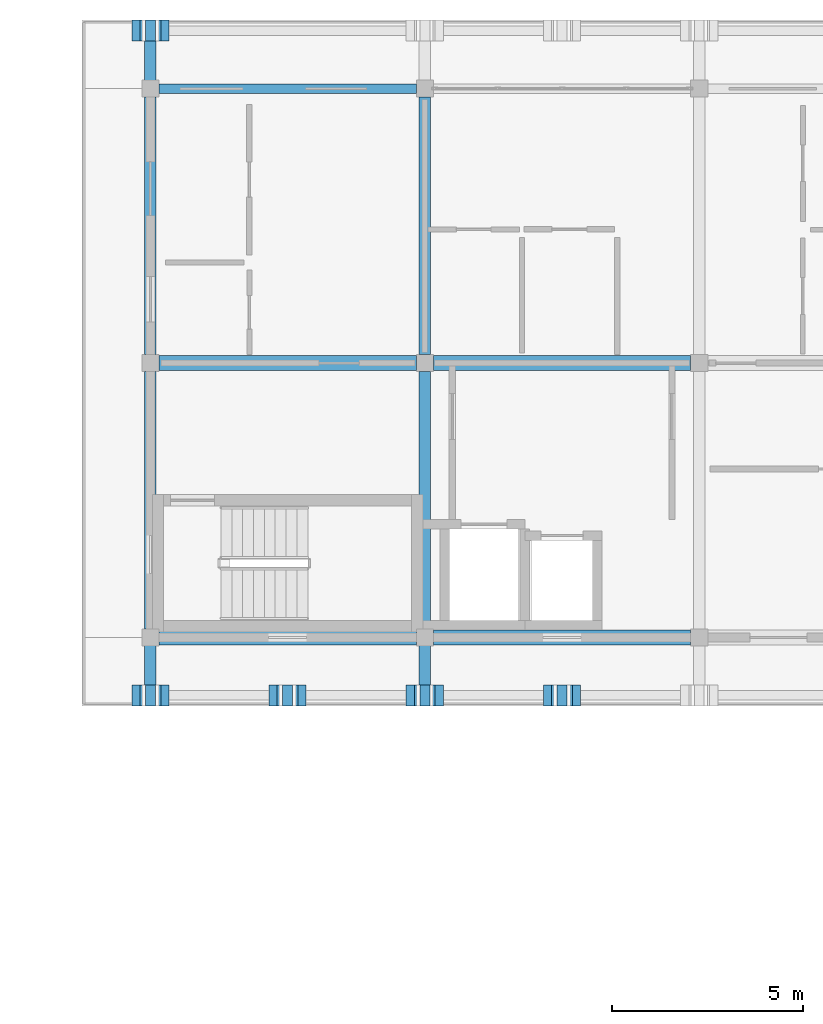
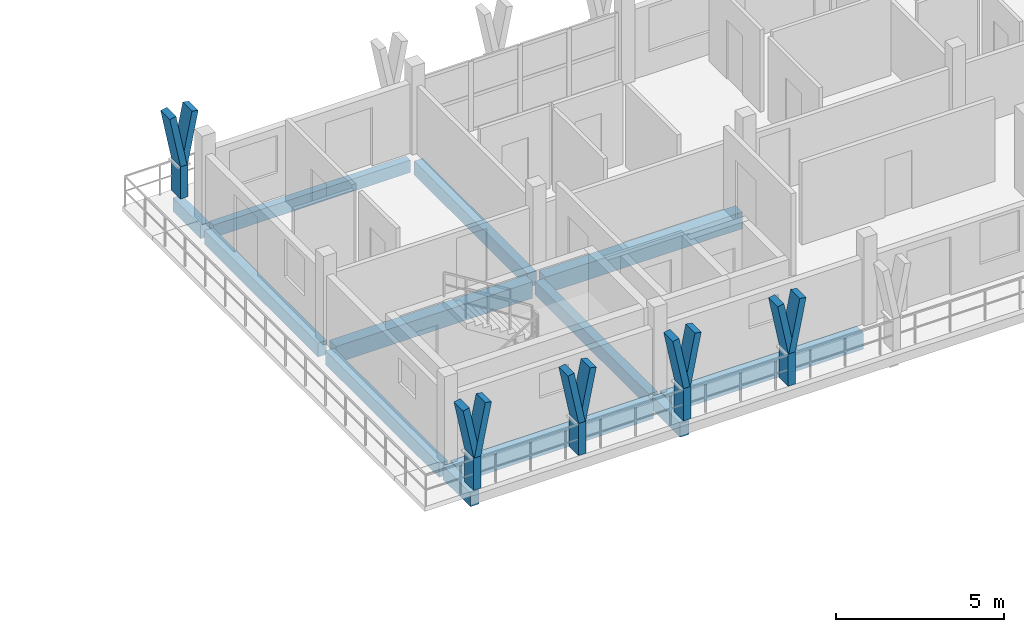
# One storey, part 16 of 45: 15 members, 12 beams.
"""IFC4 building model written with IfcOpenShell, lengths in metres."""

import ifcopenshell
import ifcopenshell.guid

model = None  # the IFC model being written
_history = None  # IfcOwnerHistory: only IFC2X3 demands one
_inside = {}  # id of a spatial element -> (the spatial element, [elements in it])
_under = {}  # id of a project, library or spatial element -> (it, [spatial elements below it])
_declared = {}  # id of a project -> (the project, [libraries it declares])
_typed = {}  # id of a type object -> (the type object, [elements of that type])
_made_of = {}  # id of a material, layer set ... -> (it, [elements and type objects made of it])


def new_model(schema):
    """Start an empty IFC model of exactly this schema.

    Asked for "IFC4X3", IfcOpenShell would pick the latest addendum, in which some entities
    have other attributes; the version numbers below select the first issue.
    IFC2X3 requires an IfcOwnerHistory on every rooted entity: one is made here for all.
    """
    global model, _history
    if schema == "IFC4X3":
        model = ifcopenshell.file(schema_version=(4, 3, 0, 0))
    else:
        model = ifcopenshell.file(schema=schema)
    _inside.clear()
    _under.clear()
    _declared.clear()
    _typed.clear()
    _made_of.clear()
    _history = None
    if model.schema == "IFC2X3":
        org = make("IfcOrganization", Name="unknown")
        user = make(
            "IfcPersonAndOrganization",
            ThePerson=make("IfcPerson", FamilyName="unknown"),
            TheOrganization=org,
        )
        app = make(
            "IfcApplication",
            ApplicationDeveloper=org,
            Version="unknown",
            ApplicationFullName="unknown",
            ApplicationIdentifier="unknown",
        )
        _history = make(
            "IfcOwnerHistory",
            OwningUser=user,
            OwningApplication=app,
            ChangeAction="ADDED",
            CreationDate=0,
        )
    return model


def make(cls, **values):
    """One entity of the class cls with the attributes given. An attribute that is None is left unset."""
    return model.create_entity(
        cls, **{name: value for name, value in values.items() if value is not None}
    )


def rooted(cls, **values):
    """An entity with a GlobalId (a new one), such as an element, a storey or a relation."""
    return make(cls, GlobalId=ifcopenshell.guid.new(), OwnerHistory=_history, **values)


def si_unit(unit_type, name, prefix=None):
    """IfcSIUnit, for example si_unit("LENGTHUNIT", "METRE", prefix="MILLI")."""
    return make("IfcSIUnit", UnitType=unit_type, Prefix=prefix, Name=name)


def assignment(units):
    """IfcUnitAssignment: the units of a project."""
    return None if units is None else make("IfcUnitAssignment", Units=units)


def point(xyz):
    """IfcCartesianPoint."""
    return None if xyz is None else make("IfcCartesianPoint", Coordinates=xyz)


def direction(xyz):
    """IfcDirection."""
    return None if xyz is None else make("IfcDirection", DirectionRatios=xyz)


def frame(location, z_axis=None, x_axis=None):
    """IfcAxis2Placement3D, a coordinate frame: its origin and axes. An axis left out is left unset."""
    return make(
        "IfcAxis2Placement3D",
        Location=point(location),
        Axis=direction(z_axis),
        RefDirection=direction(x_axis),
    )


def frame_2d(location, x_axis=None):
    """IfcAxis2Placement2D, a coordinate frame in the plane: its origin and x axis."""
    return make(
        "IfcAxis2Placement2D", Location=point(location), RefDirection=direction(x_axis)
    )


def origin():
    """The frame at (0, 0, 0) with its axes left unset."""
    return frame((0.0, 0.0, 0.0))


def origin_2d():
    """The frame at (0, 0) in the plane with its x axis left unset."""
    return frame_2d((0.0, 0.0))


def place(relative_to, where):
    """IfcLocalPlacement: puts the frame where relative to a parent placement (None: the world)."""
    return make(
        "IfcLocalPlacement", PlacementRelTo=relative_to, RelativePlacement=where
    )


def context(
    kind, dimensions, precision=None, world=None, true_north=None, identifier=None
):
    """IfcGeometricRepresentationContext, for example the 3D "Model" context."""
    return make(
        "IfcGeometricRepresentationContext",
        ContextIdentifier=identifier,
        ContextType=kind,
        CoordinateSpaceDimension=dimensions,
        Precision=precision,
        WorldCoordinateSystem=world,
        TrueNorth=true_north,
    )


def subcontext(parent, identifier, kind, view, scale=None):
    """IfcGeometricRepresentationSubContext, for example "Body" below "Model"."""
    return make(
        "IfcGeometricRepresentationSubContext",
        ContextIdentifier=identifier,
        ContextType=kind,
        ParentContext=parent,
        TargetScale=scale,
        TargetView=view,
    )


def project(units=None, contexts=None):
    """IfcProject with its units and contexts."""
    return rooted(
        "IfcProject",
        Name="project",
        RepresentationContexts=contexts,
        UnitsInContext=assignment(units),
    )


def spatial(cls, under=None, at=None, **own):
    """A site, building, storey or space (cls), placed at a placement, below another one or the project."""
    s = rooted(cls, ObjectPlacement=at, **own)
    if under is not None:
        _under.setdefault(under.id(), (under, []))[1].append(s)
    return s


def profile(cls, at=None, kind="AREA", **sizes):
    """A parametric profile (cls). Its sizes go by their IFC names, for example OverallWidth=200.0."""
    return make(cls, ProfileType=kind, Position=at, **sizes)


def rectangle(**sizes):
    """IfcRectangleProfileDef."""
    return profile("IfcRectangleProfileDef", **sizes)


def extrude(swept, where, along, depth):
    """IfcExtrudedAreaSolid: the profile swept, set in the frame where, extruded along a direction by depth."""
    return make(
        "IfcExtrudedAreaSolid",
        SweptArea=swept,
        Position=where,
        ExtrudedDirection=direction(along),
        Depth=depth,
    )


def shape(context_of_items, identifier, shape_type, items):
    """IfcShapeRepresentation: the items that make up one representation, for example the "Body"."""
    return make(
        "IfcShapeRepresentation",
        ContextOfItems=context_of_items,
        RepresentationIdentifier=identifier,
        RepresentationType=shape_type,
        Items=items,
    )


def material(Name=None, Category=None):
    """IfcMaterial."""
    return make("IfcMaterial", Name=Name, Category=Category)


def material_profile(
    of_material, cross_section, Name=None, Category=None, Priority=None
):
    """IfcMaterialProfile: a cross section and its material."""
    return make(
        "IfcMaterialProfile",
        Name=Name,
        Material=of_material,
        Profile=cross_section,
        Priority=Priority,
        Category=Category,
    )


def profile_set(profiles, Name=None, composite=None):
    """IfcMaterialProfileSet."""
    return make(
        "IfcMaterialProfileSet",
        Name=Name,
        MaterialProfiles=profiles,
        CompositeProfile=composite,
    )


def made_of(thing, what):
    """Note that an element or type object is made of a material, layer set ...; save() writes the relation."""
    if what is not None:
        _made_of.setdefault(what.id(), (what, []))[1].append(thing)
    return thing


def type_object(cls, material=None, **own):
    """A type object (cls), such as IfcWallType, which elements share."""
    return made_of(rooted(cls, **own), material)


def element(
    cls,
    number,
    at=None,
    inside=None,
    cuts=None,
    type_object=None,
    material=None,
    context=None,
    identifier="Body",
    shape_type=None,
    held_by="IfcProductDefinitionShape",
    body=None,
    shapes=None,
    **own,
):
    """One element of the class cls, such as IfcWall. Its Tag is "e" and its number.

    at: its placement. inside: the storey or other place that contains it. cuts: it is an
    opening in that element (IfcRelVoidsElement). A single representation is given by context,
    identifier, shape_type and body (its items); several are given by shapes. held_by: the class
    of the entity that holds the representations. save() writes the other relations.
    """
    e = rooted(cls, Tag="e%d" % number, ObjectPlacement=at, **own)
    if body is not None:
        shapes = [shape(context, identifier, shape_type, body)]
    if shapes is not None:
        e.Representation = make(held_by, Representations=shapes)
    if inside is not None:
        _inside.setdefault(inside.id(), (inside, []))[1].append(e)
    if cuts is not None:
        rooted(
            "IfcRelVoidsElement", RelatingBuildingElement=cuts, RelatedOpeningElement=e
        )
    if type_object is not None:
        _typed.setdefault(type_object.id(), (type_object, []))[1].append(e)
    return made_of(e, material)


def aggregate(whole, parts):
    """IfcRelAggregates: a whole, such as a stair, and the parts it consists of."""
    return rooted("IfcRelAggregates", RelatingObject=whole, RelatedObjects=parts)


def save(model, path):
    """Write the relations noted so far, then the file.

    IfcRelAggregates (storeys below a building ...), IfcRelContainedInSpatialStructure (elements
    in a storey), IfcRelDefinesByType, IfcRelAssociatesMaterial and IfcRelDeclares: one each for
    every whole, place, type object, material and project.
    """
    for whole, parts in _under.values():
        aggregate(whole, parts)
    for where, things in _inside.values():
        rooted(
            "IfcRelContainedInSpatialStructure",
            RelatedElements=things,
            RelatingStructure=where,
        )
    for kind, things in _typed.values():
        rooted("IfcRelDefinesByType", RelatedObjects=things, RelatingType=kind)
    for what, things in _made_of.values():
        rooted("IfcRelAssociatesMaterial", RelatedObjects=things, RelatingMaterial=what)
    for by, libraries in _declared.values():
        rooted("IfcRelDeclares", RelatingContext=by, RelatedDefinitions=libraries)
    model.write(path)


model = new_model("IFC4")

# Units and contexts
model_context = context("Model", 3, precision=1e-05, world=origin(), true_north=direction((0.0, 1.0)))
body_context = subcontext(model_context, "Body", "Model", "MODEL_VIEW")
ifc_project = project(units=[si_unit("LENGTHUNIT", "METRE"), si_unit("AREAUNIT", "SQUARE_METRE"), si_unit("VOLUMEUNIT", "CUBIC_METRE"), si_unit("PLANEANGLEUNIT", "RADIAN"), si_unit("MASSUNIT", "GRAM", prefix="KILO")], contexts=[model_context])

# Site, building, storey
site_placement = place(None, origin())
site = spatial("IfcSite", under=ifc_project, at=site_placement, CompositionType="ELEMENT")
building_placement = place(site_placement, origin())
building = spatial("IfcBuilding", under=site, at=building_placement, Name="Suanplinth Sawtooth Commons", CompositionType="ELEMENT")
storey_placement = place(building_placement, frame((0.0, 0.0, 38.0)))
storey = spatial("IfcBuildingStorey", under=building, at=storey_placement, Name="L11", CompositionType="ELEMENT", Elevation=38.0)

# Beams
ifc_material_1 = material(Name="Precast concrete C40/50", Category="concrete")
ifc_material_profile_1 = material_profile(ifc_material_1, rectangle(XDim=0.39990234375, YDim=0.60009765625, at=origin_2d()), Name="PC-GDR 400x600")
ifc_profile_set_1 = profile_set([ifc_material_profile_1], Name="Precast concrete C40/50")
beam_type_1 = type_object("IfcBeamType", Name="B-05", PredefinedType="USERDEFINED", material=ifc_profile_set_1)
for number, where, z_axis, x_axis, name in (
    (1, (137.02490234375, 108.0, -0.5400390625), (1.0, 0.0, 0.0), (0.0, 1.0, 0.0), "BMX-L11-B-19-15"),
    (2, (137.02490234375, 115.199951171875, -0.5400390625), (1.0, 0.0, 0.0), (0.0, 1.0, 0.0), "BMX-L11-B-19-16"),
    (3, (144.22509765625, 108.0, -0.5400390625), (1.0, 0.0, 0.0), (0.0, 1.0, 0.0), "BMX-L11-B-20-15"),
    (4, (144.22509765625, 115.199951171875, -0.5400390625), (1.0, 0.0, 0.0), (0.0, 1.0, 0.0), "BMX-L11-B-20-16"),
):
    element("IfcBeam", number, at=place(storey_placement, frame(where, z_axis=z_axis, x_axis=x_axis)), inside=storey, type_object=beam_type_1, Name=name, ObjectType="GIRDER", PredefinedType="USERDEFINED", context=body_context, shape_type="SweptSolid", body=[
        extrude(rectangle(XDim=0.39990234375, YDim=0.60009765625, at=origin_2d()), origin(), (0.0, 0.0, 1.0), 6.75),
    ])
ifc_material_profile_2 = material_profile(ifc_material_1, rectangle(XDim=0.300048828125, YDim=0.5, at=origin_2d()), Name="PC-BM 300x500")
ifc_profile_set_2 = profile_set([ifc_material_profile_2], Name="Precast concrete C40/50")
beam_type_2 = type_object("IfcBeamType", Name="B-07", PredefinedType="BEAM", material=ifc_profile_set_2)
for number, where, z_axis, x_axis, name in (
    (5, (136.800048828125, 108.22509765625, -0.489990234375), (0.0, 1.0, 0.0), (-1.0, 0.0, 0.0), "BMY-L11-B-19-15"),
    (6, (136.800048828125, 115.425048828125, -0.489990234375), (0.0, 1.0, 0.0), (-1.0, 0.0, 0.0), "BMY-L11-B-19-16"),
    (7, (144.0, 108.22509765625, -0.489990234375), (0.0, 1.0, 0.0), (-1.0, 0.0, 0.0), "BMY-L11-B-20-15"),
    (8, (144.0, 115.425048828125, -0.489990234375), (0.0, 1.0, 0.0), (-1.0, 0.0, 0.0), "BMY-L11-B-20-16"),
):
    element("IfcBeam", number, at=place(storey_placement, frame(where, z_axis=z_axis, x_axis=x_axis)), inside=storey, type_object=beam_type_2, Name=name, PredefinedType="BEAM", context=body_context, shape_type="SweptSolid", body=[
        extrude(rectangle(XDim=0.300048828125, YDim=0.5, at=origin_2d()), origin(), (0.0, 0.0, 1.0), 6.75),
    ])
beam_1_placement = place(storey_placement, frame((136.800048828125, 122.39990234375, -0.429931640625), z_axis=(0.0, 1.0, 0.0), x_axis=(-1.0, 0.0, 0.0)))
element("IfcBeam", 9, at=beam_1_placement, inside=storey, type_object=beam_type_2, Name="Balcony Outrigger L11-B-N-19", PredefinedType="BEAM", context=body_context, shape_type="SweptSolid", body=[
    extrude(rectangle(XDim=0.300048828125, YDim=0.5, at=origin_2d()), origin(), (0.0, 0.0, 1.0), 1.64013671875),
])
for number, where, z_axis, x_axis, name in (
    (10, (136.800048828125, 108.0, -0.425048828125), (0.0, -1.0, 0.0), (1.0, 0.0, 0.0), "Balcony Outrigger L11-B-SC-19"),
    (11, (144.0, 108.0, -0.425048828125), (0.0, -1.0, 0.0), (1.0, 0.0, 0.0), "Balcony Outrigger L11-B-SC-20"),
):
    element("IfcBeam", number, at=place(storey_placement, frame(where, z_axis=z_axis, x_axis=x_axis)), inside=storey, type_object=beam_type_2, Name=name, PredefinedType="BEAM", context=body_context, shape_type="SweptSolid", body=[
        extrude(rectangle(XDim=0.300048828125, YDim=0.5, at=origin_2d()), origin(), (0.0, 0.0, 1.0), 1.639892578125),
    ])
ifc_material_profile_3 = material_profile(ifc_material_1, rectangle(XDim=0.25, YDim=0.449951171875, at=origin_2d()), Name="PC-SP 250x450")
ifc_profile_set_3 = profile_set([ifc_material_profile_3], Name="Precast concrete C40/50")
beam_type_3 = type_object("IfcBeamType", Name="B-09", PredefinedType="SPANDREL", material=ifc_profile_set_3)
beam_2_placement = place(storey_placement, frame((137.02490234375, 122.39990234375, -0.465087890625), z_axis=(1.0, 0.0, 0.0), x_axis=(0.0, 1.0, 0.0)))
element("IfcBeam", 12, at=beam_2_placement, inside=storey, type_object=beam_type_3, Name="BMX-L11-B-19-17", PredefinedType="SPANDREL", context=body_context, shape_type="SweptSolid", body=[
    extrude(rectangle(XDim=0.25, YDim=0.449951171875, at=origin_2d()), origin(), (0.0, 0.0, 1.0), 6.75),
])

# Members
ifc_material_2 = material(Name="Pigmented precast concrete C40/50", Category="concrete")
ifc_material_profile_4 = material_profile(ifc_material_2, rectangle(XDim=0.260009765625, YDim=0.550048828125, at=origin_2d()), Name="PC-FIN 260x550")
ifc_profile_set_4 = profile_set([ifc_material_profile_4], Name="Pigmented precast concrete C40/50")
member_type_1 = type_object("IfcMemberType", Name="M-09", PredefinedType="USERDEFINED", material=ifc_profile_set_4)
for number, where, z_axis, x_axis, name in (
    (13, (136.800048828125, 123.919921875, 0.0), (0.0, 0.0, 1.0), (1.0, 0.0, 0.0), "Y-Blade Stem L11-B-N-01"),
    (14, (136.800048828125, 106.47998046875, 0.0), (0.0, 0.0, 1.0), (1.0, 0.0, 0.0), "Y-Blade Stem L11-B-SC-13"),
    (15, (140.39990234375, 106.47998046875, 0.0), (0.0, 0.0, 1.0), (1.0, 0.0, 0.0), "Y-Blade Stem L11-B-SC-14"),
    (16, (144.0, 106.47998046875, 0.0), (0.0, 0.0, 1.0), (1.0, 0.0, 0.0), "Y-Blade Stem L11-B-SC-15"),
    (17, (147.60009765625, 106.47998046875, 0.0), (0.0, 0.0, 1.0), (1.0, 0.0, 0.0), "Y-Blade Stem L11-B-SC-16"),
):
    element("IfcMember", number, at=place(storey_placement, frame(where, z_axis=z_axis, x_axis=x_axis)), inside=storey, type_object=member_type_1, Name=name, ObjectType="SHADING FIN", PredefinedType="USERDEFINED", context=body_context, shape_type="SweptSolid", body=[
        extrude(rectangle(XDim=0.260009765625, YDim=0.550048828125, at=origin_2d()), origin(), (0.0, 0.0, 1.0), 1.169921875),
    ])
ifc_material_profile_5 = material_profile(ifc_material_2, rectangle(XDim=0.219970703125, YDim=0.550048828125, at=origin_2d()), Name="PC-FIN 220x550")
ifc_profile_set_5 = profile_set([ifc_material_profile_5], Name="Pigmented precast concrete C40/50")
member_type_2 = type_object("IfcMemberType", Name="M-10", PredefinedType="USERDEFINED", material=ifc_profile_set_5)
member_1_placement = place(storey_placement, frame((136.800048828125, 123.919921875, 1.1298828125), z_axis=(-0.196406855569, 0.0, 0.980522486782), x_axis=(0.980522486782, 0.0, 0.196406855569)))
element("IfcMember", 18, at=member_1_placement, inside=storey, type_object=member_type_2, Name="Y-Blade Arm L L11-B-N-01", ObjectType="SHADING FIN", PredefinedType="USERDEFINED", context=body_context, shape_type="SweptSolid", body=[
    extrude(rectangle(XDim=0.219970703125, YDim=0.550048828125, at=origin_2d()), origin(), (0.0, 0.0, 1.0), 1.93798828125),
])
member_2_placement = place(storey_placement, frame((136.800048828125, 123.919921875, 1.1298828125), z_axis=(0.196285728346, 0.0, 0.980546741796), x_axis=(-0.980546741796, 0.0, 0.196285728346)))
element("IfcMember", 19, at=member_2_placement, inside=storey, type_object=member_type_2, Name="Y-Blade Arm R L11-B-N-01", ObjectType="SHADING FIN", PredefinedType="USERDEFINED", context=body_context, shape_type="SweptSolid", body=[
    extrude(rectangle(XDim=0.219970703125, YDim=0.550048828125, at=origin_2d()), origin(), (0.0, 0.0, 1.0), 1.937744140625),
])
member_3_placement = place(storey_placement, frame((136.800048828125, 106.47998046875, 1.1298828125), z_axis=(-0.196406855569, 0.0, 0.980522486782), x_axis=(0.980522486782, 0.0, 0.196406855569)))
element("IfcMember", 20, at=member_3_placement, inside=storey, type_object=member_type_2, Name="Y-Blade Arm L L11-B-SC-13", ObjectType="SHADING FIN", PredefinedType="USERDEFINED", context=body_context, shape_type="SweptSolid", body=[
    extrude(rectangle(XDim=0.219970703125, YDim=0.550048828125, at=origin_2d()), origin(), (0.0, 0.0, 1.0), 1.93798828125),
])
for number, where, z_axis, x_axis, name in (
    (21, (136.800048828125, 106.47998046875, 1.1298828125), (0.196285728346, 0.0, 0.980546741796), (-0.980546741796, 0.0, 0.196285728346), "Y-Blade Arm R L11-B-SC-13"),
    (22, (140.39990234375, 106.47998046875, 1.1298828125), (-0.196285728346, 0.0, 0.980546741796), (0.980546741796, 0.0, 0.196285728346), "Y-Blade Arm L L11-B-SC-14"),
):
    element("IfcMember", number, at=place(storey_placement, frame(where, z_axis=z_axis, x_axis=x_axis)), inside=storey, type_object=member_type_2, Name=name, ObjectType="SHADING FIN", PredefinedType="USERDEFINED", context=body_context, shape_type="SweptSolid", body=[
        extrude(rectangle(XDim=0.219970703125, YDim=0.550048828125, at=origin_2d()), origin(), (0.0, 0.0, 1.0), 1.937744140625),
    ])
for number, where, z_axis, x_axis, name in (
    (23, (140.39990234375, 106.47998046875, 1.1298828125), (0.196406855569, 0.0, 0.980522486782), (-0.980522486782, 0.0, 0.196406855569), "Y-Blade Arm R L11-B-SC-14"),
    (24, (144.0, 106.47998046875, 1.1298828125), (-0.196406855569, 0.0, 0.980522486782), (0.980522486782, 0.0, 0.196406855569), "Y-Blade Arm L L11-B-SC-15"),
    (25, (144.0, 106.47998046875, 1.1298828125), (0.196406855569, 0.0, 0.980522486782), (-0.980522486782, 0.0, 0.196406855569), "Y-Blade Arm R L11-B-SC-15"),
    (26, (147.60009765625, 106.47998046875, 1.1298828125), (-0.196406855569, 0.0, 0.980522486782), (0.980522486782, 0.0, 0.196406855569), "Y-Blade Arm L L11-B-SC-16"),
):
    element("IfcMember", number, at=place(storey_placement, frame(where, z_axis=z_axis, x_axis=x_axis)), inside=storey, type_object=member_type_2, Name=name, ObjectType="SHADING FIN", PredefinedType="USERDEFINED", context=body_context, shape_type="SweptSolid", body=[
        extrude(rectangle(XDim=0.219970703125, YDim=0.550048828125, at=origin_2d()), origin(), (0.0, 0.0, 1.0), 1.93798828125),
    ])
member_4_placement = place(storey_placement, frame((147.60009765625, 106.47998046875, 1.1298828125), z_axis=(0.196285728346, 0.0, 0.980546741796), x_axis=(-0.980546741796, 0.0, 0.196285728346)))
element("IfcMember", 27, at=member_4_placement, inside=storey, type_object=member_type_2, Name="Y-Blade Arm R L11-B-SC-16", ObjectType="SHADING FIN", PredefinedType="USERDEFINED", context=body_context, shape_type="SweptSolid", body=[
    extrude(rectangle(XDim=0.219970703125, YDim=0.550048828125, at=origin_2d()), origin(), (0.0, 0.0, 1.0), 1.937744140625),
])

save(model, "model.ifc")
